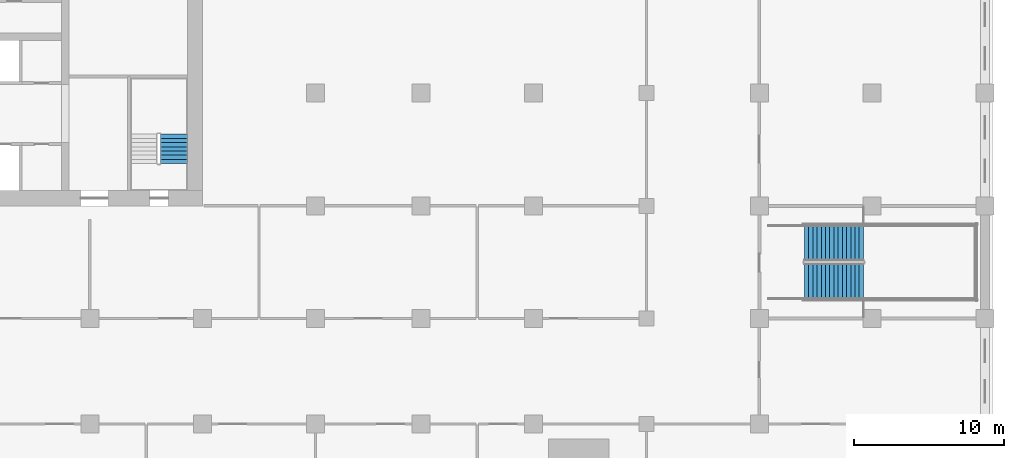
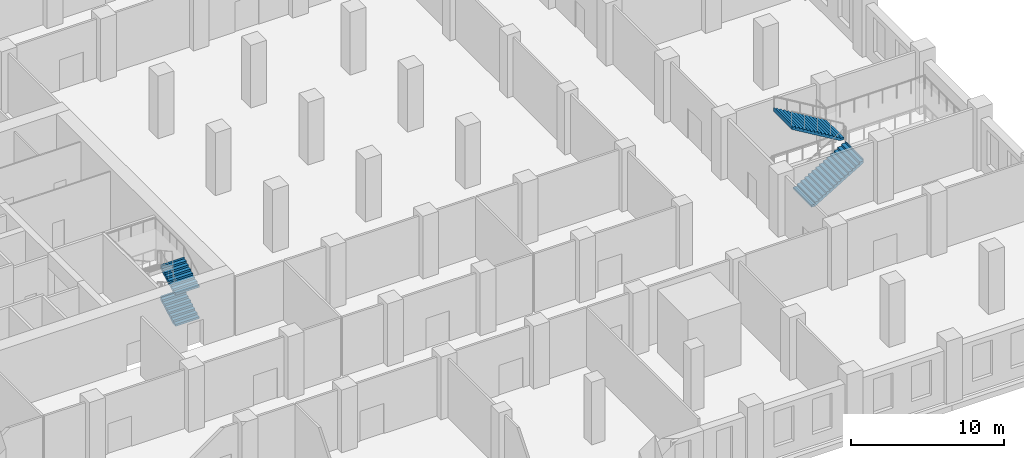
# One storey, part 16 of 32: 4 stair flights, 2 elements without a shape of their own.
"""IFC4 building model written with IfcOpenShell, lengths in metres."""

from ifc_helpers import new_model, si_unit, direction, frame, origin, place, context, subcontext, project, spatial, polyline, outline, extrude, material, type_object, element, aggregate, save


model = new_model("IFC4")

# Units and contexts
model_context = context("Model", 3, precision=1e-05, world=origin(), true_north=direction((0.0, 1.0)))
body_context = subcontext(model_context, "Body", "Model", "MODEL_VIEW")
ifc_project = project(units=[si_unit("LENGTHUNIT", "METRE"), si_unit("AREAUNIT", "SQUARE_METRE"), si_unit("VOLUMEUNIT", "CUBIC_METRE"), si_unit("PLANEANGLEUNIT", "RADIAN"), si_unit("MASSUNIT", "GRAM", prefix="KILO")], contexts=[model_context])

# Site, building, storey
site_placement = place(None, origin())
site = spatial("IfcSite", under=ifc_project, at=site_placement, CompositionType="ELEMENT")
building_placement = place(site_placement, origin())
building = spatial("IfcBuilding", under=site, at=building_placement, Name="Tamorin Gate", CompositionType="ELEMENT")
storey_placement = place(building_placement, frame((0.0, 0.0, 18.5)))
storey = spatial("IfcBuildingStorey", under=building, at=storey_placement, Name="L03", CompositionType="ELEMENT", Elevation=18.5)

# Stair, stair flights
ifc_material_1 = material(Name="Concrete C40/50", Category="concrete")
stair_type_1 = type_object("IfcStairType", Name="Exit stair", PredefinedType="HALF_TURN_STAIR", material=ifc_material_1)
stair_1_placement = place(storey_placement, origin())
stair_1 = element("IfcStair", 1, at=stair_1_placement, inside=storey, type_object=stair_type_1, Name="L03 stair ST3", PredefinedType="HALF_TURN_STAIR")
stair_flight_type_1 = type_object("IfcStairFlightType", Name="Exit stair flight", PredefinedType="STRAIGHT", material=ifc_material_1)
stair_flight_1_placement = place(storey_placement, frame((58.10009765625, 62.800048828125, 0.0), z_axis=(0.0, 0.0, 1.0), x_axis=(0.0, 1.0, 0.0)))
stair_flight_1 = element("IfcStairFlight", 2, at=stair_flight_1_placement, type_object=stair_flight_type_1, Name="ST3 flight 1", NumberOfRisers=8, NumberOfTreads=7, PredefinedType="STRAIGHT", RiserHeight=0.15625, TreadLength=0.28, context=body_context, shape_type="SweptSolid", body=[
    extrude(outline(polyline([(-0.00048828125, 0.0), (-0.00048828125, 0.00146484375), (-0.00048828125, 0.003173828125), (-0.00048828125, 0.004638671875), (-0.00048828125, 0.006103515625), (-0.00048828125, 0.0078125), (-0.00048828125, 0.00927734375), (-0.00048828125, 0.0107421875), (-0.00048828125, 0.012451171875), (-0.00048828125, 0.013916015625), (-0.00048828125, 0.015380859375), (-0.00048828125, 0.01708984375), (-0.00048828125, 0.0185546875), (-0.00048828125, 0.02001953125), (-0.00048828125, 0.021728515625), (-0.00048828125, 0.023193359375), (-0.00048828125, 0.024658203125), (-0.00048828125, 0.0263671875), (-0.00048828125, 0.02783203125), (-0.00048828125, 0.029296875), (-0.00048828125, 0.031005859375), (-0.00048828125, 0.032470703125), (-0.00048828125, 0.033935546875), (-0.00048828125, 0.03564453125), (-0.00048828125, 0.037109375), (-0.00048828125, 0.03857421875), (-0.00048828125, 0.040283203125), (-0.00048828125, 0.041748046875), (-0.00048828125, 0.043212890625), (-0.00048828125, 0.044921875), (-0.00048828125, 0.04638671875), (-0.00048828125, 0.0478515625), (-0.00048828125, 0.049560546875), (-0.00048828125, 0.051025390625), (-0.00048828125, 0.052490234375), (-0.00048828125, 0.05419921875), (-0.00048828125, 0.0556640625), (-0.00048828125, 0.05712890625), (-0.00048828125, 0.058837890625), (-0.00048828125, 0.060302734375), (-0.00048828125, 0.061767578125), (-0.00048828125, 0.0634765625), (-0.00048828125, 0.06494140625), (-0.00048828125, 0.06640625), (-0.00048828125, 0.068115234375), (-0.00048828125, 0.069580078125), (-0.00048828125, 0.071044921875), (-0.00048828125, 0.07275390625), (-0.00048828125, 0.07421875), (-0.00048828125, 0.07568359375), (-0.00048828125, 0.077392578125), (-0.00048828125, 0.078857421875), (-0.00048828125, 0.08056640625), (-0.00048828125, 0.08203125), (-0.00048828125, 0.08349609375), (-0.00048828125, 0.085205078125), (-0.00048828125, 0.086669921875), (-0.00048828125, 0.088134765625), (-0.00048828125, 0.08984375), (-0.00048828125, 0.09130859375), (-0.00048828125, 0.0927734375), (-0.00048828125, 0.094482421875), (-0.00048828125, 0.095947265625), (-0.00048828125, 0.097412109375), (-0.00048828125, 0.09912109375), (-0.00048828125, 0.1005859375), (-0.00048828125, 0.10205078125), (-0.00048828125, 0.103759765625), (-0.00048828125, 0.105224609375), (-0.00048828125, 0.106689453125), (-0.00048828125, 0.1083984375), (-0.00048828125, 0.10986328125), (-0.00048828125, 0.111328125), (-0.00048828125, 0.113037109375), (-0.00048828125, 0.114501953125), (-0.00048828125, 0.115966796875), (-0.00048828125, 0.11767578125), (-0.00048828125, 0.119140625), (-0.00048828125, 0.12060546875), (-0.00048828125, 0.122314453125), (-0.00048828125, 0.123779296875), (-0.00048828125, 0.125244140625), (-0.00048828125, 0.126953125), (-0.00048828125, 0.12841796875), (-0.00048828125, 0.1298828125), (-0.00048828125, 0.131591796875), (-0.00048828125, 0.133056640625), (-0.00048828125, 0.134521484375), (-0.00048828125, 0.13623046875), (-0.00048828125, 0.1376953125), (-0.00048828125, 0.13916015625), (-0.00048828125, 0.140869140625), (-0.00048828125, 0.142333984375), (-0.00048828125, 0.143798828125), (-0.00048828125, 0.1455078125), (-0.00048828125, 0.14697265625), (-0.00048828125, 0.1484375), (-0.00048828125, 0.150146484375), (-0.00048828125, 0.151611328125), (-0.00048828125, 0.153076171875), (-0.00048828125, 0.15478515625), (-0.00048828125, 0.15625), (0.280029296875, 0.15625), (0.280029296875, 0.3125), (0.56005859375, 0.3125), (0.56005859375, 0.46875), (0.840087890625, 0.46875), (0.840087890625, 0.625), (1.1201171875, 0.625), (1.1201171875, 0.78125), (1.39990234375, 0.78125), (1.39990234375, 0.9375), (1.679931640625, 0.9375), (1.679931640625, 1.09375), (1.9599609375, 1.09375), (1.9599609375, 1.25), (1.96044921875, 1.25), (1.96044921875, 1.246826171875), (1.96044921875, 1.243408203125), (1.96044921875, 1.240234375), (1.96044921875, 1.237060546875), (1.96044921875, 1.23388671875), (1.96044921875, 1.23046875), (1.96044921875, 1.227294921875), (1.96044921875, 1.22412109375), (1.96044921875, 1.220703125), (1.96044921875, 1.217529296875), (1.96044921875, 1.21435546875), (1.96044921875, 1.2109375), (1.96044921875, 1.207763671875), (1.96044921875, 1.20458984375), (1.96044921875, 1.201416015625), (1.96044921875, 1.197998046875), (1.96044921875, 1.19482421875), (1.96044921875, 1.191650390625), (1.96044921875, 1.188232421875), (1.96044921875, 1.18505859375), (1.96044921875, 1.181884765625), (1.96044921875, 1.178466796875), (1.96044921875, 1.17529296875), (1.96044921875, 1.172119140625), (1.96044921875, 1.1689453125), (1.96044921875, 1.16552734375), (1.96044921875, 1.162353515625), (1.96044921875, 1.1591796875), (1.96044921875, 1.15576171875), (1.96044921875, 1.152587890625), (1.96044921875, 1.1494140625), (1.96044921875, 1.14599609375), (1.96044921875, 1.142822265625), (1.96044921875, 1.1396484375), (1.96044921875, 1.136474609375), (1.96044921875, 1.133056640625), (1.96044921875, 1.1298828125), (1.96044921875, 1.126708984375), (1.96044921875, 1.123291015625), (1.96044921875, 1.1201171875), (1.96044921875, 1.116943359375), (1.96044921875, 1.113525390625), (1.96044921875, 1.1103515625), (1.96044921875, 1.107177734375), (1.96044921875, 1.10400390625), (1.96044921875, 1.1005859375), (1.96044921875, 1.097412109375), (1.96044921875, 1.09423828125), (1.96044921875, 1.0908203125), (1.96044921875, 1.087646484375), (1.96044921875, 1.08447265625), (1.96044921875, 1.0810546875), (1.96044921875, 1.077880859375), (1.96044921875, 1.07470703125), (1.96044921875, 1.071533203125), (1.96044921875, 1.068115234375), (1.96044921875, 1.06494140625), (1.96044921875, 1.061767578125), (1.96044921875, 1.058349609375), (1.96044921875, 1.05517578125), (1.96044921875, 1.052001953125), (1.96044921875, 1.048828125), (1.96044921875, 1.04541015625), (1.96044921875, 1.042236328125), (1.96044921875, 1.0390625), (1.96044921875, 1.03564453125), (1.96044921875, 1.032470703125), (1.96044921875, 1.029296875), (1.96044921875, 1.02587890625), (1.96044921875, 1.022705078125), (1.96044921875, 1.01953125), (1.96044921875, 1.016357421875), (1.96044921875, 1.012939453125), (1.96044921875, 1.009765625), (1.96044921875, 1.006591796875), (1.96044921875, 1.003173828125), (1.96044921875, 1.0), (1.96044921875, 0.996826171875), (1.96044921875, 0.993408203125), (1.96044921875, 0.990234375), (1.96044921875, 0.987060546875), (1.96044921875, 0.98388671875), (1.96044921875, 0.98046875), (1.96044921875, 0.977294921875), (1.96044921875, 0.97412109375), (1.96044921875, 0.970703125), (1.96044921875, 0.967529296875), (1.96044921875, 0.96435546875), (1.96044921875, 0.9609375), (1.96044921875, 0.957763671875), (1.96044921875, 0.95458984375), (1.96044921875, 0.951416015625), (1.96044921875, 0.947998046875), (1.96044921875, 0.94482421875), (1.96044921875, 0.941650390625), (1.96044921875, 0.938232421875), (1.96044921875, 0.93505859375), (1.96044921875, 0.931884765625), (1.96044921875, 0.928466796875), (1.96044921875, 0.92529296875), (1.96044921875, 0.922119140625), (1.9599609375, 0.922119140625), (0.3076171875, 0.0), (-0.00048828125, 0.0)])), frame((0.0, 0.89990234375, 0.0), z_axis=(0.0, -1.0, 0.0), x_axis=(1.0, 0.0, 0.0)), (0.0, 0.0, 1.0), 1.800048828125),
])
stair_flight_2_placement = place(storey_placement, frame((58.10009765625, 62.800048828125, 2.5), z_axis=(0.0, 0.0, 1.0), x_axis=(0.0, 1.0, 0.0)))
stair_flight_2 = element("IfcStairFlight", 3, at=stair_flight_2_placement, type_object=stair_flight_type_1, Name="ST3 flight 3", NumberOfRisers=8, NumberOfTreads=7, PredefinedType="STRAIGHT", RiserHeight=0.15625, TreadLength=0.28, context=body_context, shape_type="SweptSolid", body=[
    extrude(outline(polyline([(-0.00048828125, 0.0), (-0.00048828125, 0.00146484375), (-0.00048828125, 0.003173828125), (-0.00048828125, 0.004638671875), (-0.00048828125, 0.006103515625), (-0.00048828125, 0.0078125), (-0.00048828125, 0.00927734375), (-0.00048828125, 0.0107421875), (-0.00048828125, 0.012451171875), (-0.00048828125, 0.013916015625), (-0.00048828125, 0.015380859375), (-0.00048828125, 0.01708984375), (-0.00048828125, 0.0185546875), (-0.00048828125, 0.02001953125), (-0.00048828125, 0.021728515625), (-0.00048828125, 0.023193359375), (-0.00048828125, 0.024658203125), (-0.00048828125, 0.0263671875), (-0.00048828125, 0.02783203125), (-0.00048828125, 0.029296875), (-0.00048828125, 0.031005859375), (-0.00048828125, 0.032470703125), (-0.00048828125, 0.033935546875), (-0.00048828125, 0.03564453125), (-0.00048828125, 0.037109375), (-0.00048828125, 0.03857421875), (-0.00048828125, 0.040283203125), (-0.00048828125, 0.041748046875), (-0.00048828125, 0.043212890625), (-0.00048828125, 0.044921875), (-0.00048828125, 0.04638671875), (-0.00048828125, 0.0478515625), (-0.00048828125, 0.049560546875), (-0.00048828125, 0.051025390625), (-0.00048828125, 0.052490234375), (-0.00048828125, 0.05419921875), (-0.00048828125, 0.0556640625), (-0.00048828125, 0.05712890625), (-0.00048828125, 0.058837890625), (-0.00048828125, 0.060302734375), (-0.00048828125, 0.061767578125), (-0.00048828125, 0.0634765625), (-0.00048828125, 0.06494140625), (-0.00048828125, 0.06640625), (-0.00048828125, 0.068115234375), (-0.00048828125, 0.069580078125), (-0.00048828125, 0.071044921875), (-0.00048828125, 0.07275390625), (-0.00048828125, 0.07421875), (-0.00048828125, 0.07568359375), (-0.00048828125, 0.077392578125), (-0.00048828125, 0.078857421875), (-0.00048828125, 0.08056640625), (-0.00048828125, 0.08203125), (-0.00048828125, 0.08349609375), (-0.00048828125, 0.085205078125), (-0.00048828125, 0.086669921875), (-0.00048828125, 0.088134765625), (-0.00048828125, 0.08984375), (-0.00048828125, 0.09130859375), (-0.00048828125, 0.0927734375), (-0.00048828125, 0.094482421875), (-0.00048828125, 0.095947265625), (-0.00048828125, 0.097412109375), (-0.00048828125, 0.09912109375), (-0.00048828125, 0.1005859375), (-0.00048828125, 0.10205078125), (-0.00048828125, 0.103759765625), (-0.00048828125, 0.105224609375), (-0.00048828125, 0.106689453125), (-0.00048828125, 0.1083984375), (-0.00048828125, 0.10986328125), (-0.00048828125, 0.111328125), (-0.00048828125, 0.113037109375), (-0.00048828125, 0.114501953125), (-0.00048828125, 0.115966796875), (-0.00048828125, 0.11767578125), (-0.00048828125, 0.119140625), (-0.00048828125, 0.12060546875), (-0.00048828125, 0.122314453125), (-0.00048828125, 0.123779296875), (-0.00048828125, 0.125244140625), (-0.00048828125, 0.126953125), (-0.00048828125, 0.12841796875), (-0.00048828125, 0.1298828125), (-0.00048828125, 0.131591796875), (-0.00048828125, 0.133056640625), (-0.00048828125, 0.134521484375), (-0.00048828125, 0.13623046875), (-0.00048828125, 0.1376953125), (-0.00048828125, 0.13916015625), (-0.00048828125, 0.140869140625), (-0.00048828125, 0.142333984375), (-0.00048828125, 0.143798828125), (-0.00048828125, 0.1455078125), (-0.00048828125, 0.14697265625), (-0.00048828125, 0.1484375), (-0.00048828125, 0.150146484375), (-0.00048828125, 0.151611328125), (-0.00048828125, 0.153076171875), (-0.00048828125, 0.15478515625), (-0.00048828125, 0.15625), (0.280029296875, 0.15625), (0.280029296875, 0.3125), (0.56005859375, 0.3125), (0.56005859375, 0.46875), (0.840087890625, 0.46875), (0.840087890625, 0.625), (1.1201171875, 0.625), (1.1201171875, 0.78125), (1.39990234375, 0.78125), (1.39990234375, 0.9375), (1.679931640625, 0.9375), (1.679931640625, 1.09375), (1.9599609375, 1.09375), (1.9599609375, 1.25), (1.96044921875, 1.25), (1.96044921875, 1.246826171875), (1.96044921875, 1.243408203125), (1.96044921875, 1.240234375), (1.96044921875, 1.237060546875), (1.96044921875, 1.23388671875), (1.96044921875, 1.23046875), (1.96044921875, 1.227294921875), (1.96044921875, 1.22412109375), (1.96044921875, 1.220703125), (1.96044921875, 1.217529296875), (1.96044921875, 1.21435546875), (1.96044921875, 1.2109375), (1.96044921875, 1.207763671875), (1.96044921875, 1.20458984375), (1.96044921875, 1.201416015625), (1.96044921875, 1.197998046875), (1.96044921875, 1.19482421875), (1.96044921875, 1.191650390625), (1.96044921875, 1.188232421875), (1.96044921875, 1.18505859375), (1.96044921875, 1.181884765625), (1.96044921875, 1.178466796875), (1.96044921875, 1.17529296875), (1.96044921875, 1.172119140625), (1.96044921875, 1.1689453125), (1.96044921875, 1.16552734375), (1.96044921875, 1.162353515625), (1.96044921875, 1.1591796875), (1.96044921875, 1.15576171875), (1.96044921875, 1.152587890625), (1.96044921875, 1.1494140625), (1.96044921875, 1.14599609375), (1.96044921875, 1.142822265625), (1.96044921875, 1.1396484375), (1.96044921875, 1.136474609375), (1.96044921875, 1.133056640625), (1.96044921875, 1.1298828125), (1.96044921875, 1.126708984375), (1.96044921875, 1.123291015625), (1.96044921875, 1.1201171875), (1.96044921875, 1.116943359375), (1.96044921875, 1.113525390625), (1.96044921875, 1.1103515625), (1.96044921875, 1.107177734375), (1.96044921875, 1.10400390625), (1.96044921875, 1.1005859375), (1.96044921875, 1.097412109375), (1.96044921875, 1.09423828125), (1.96044921875, 1.0908203125), (1.96044921875, 1.087646484375), (1.96044921875, 1.08447265625), (1.96044921875, 1.0810546875), (1.96044921875, 1.077880859375), (1.96044921875, 1.07470703125), (1.96044921875, 1.071533203125), (1.96044921875, 1.068115234375), (1.96044921875, 1.06494140625), (1.96044921875, 1.061767578125), (1.96044921875, 1.058349609375), (1.96044921875, 1.05517578125), (1.96044921875, 1.052001953125), (1.96044921875, 1.048828125), (1.96044921875, 1.04541015625), (1.96044921875, 1.042236328125), (1.96044921875, 1.0390625), (1.96044921875, 1.03564453125), (1.96044921875, 1.032470703125), (1.96044921875, 1.029296875), (1.96044921875, 1.02587890625), (1.96044921875, 1.022705078125), (1.96044921875, 1.01953125), (1.96044921875, 1.016357421875), (1.96044921875, 1.012939453125), (1.96044921875, 1.009765625), (1.96044921875, 1.006591796875), (1.96044921875, 1.003173828125), (1.96044921875, 1.0), (1.96044921875, 0.996826171875), (1.96044921875, 0.993408203125), (1.96044921875, 0.990234375), (1.96044921875, 0.987060546875), (1.96044921875, 0.98388671875), (1.96044921875, 0.98046875), (1.96044921875, 0.977294921875), (1.96044921875, 0.97412109375), (1.96044921875, 0.970703125), (1.96044921875, 0.967529296875), (1.96044921875, 0.96435546875), (1.96044921875, 0.9609375), (1.96044921875, 0.957763671875), (1.96044921875, 0.95458984375), (1.96044921875, 0.951416015625), (1.96044921875, 0.947998046875), (1.96044921875, 0.94482421875), (1.96044921875, 0.941650390625), (1.96044921875, 0.938232421875), (1.96044921875, 0.93505859375), (1.96044921875, 0.931884765625), (1.96044921875, 0.928466796875), (1.96044921875, 0.92529296875), (1.96044921875, 0.922119140625), (1.9599609375, 0.922119140625), (0.3076171875, 0.0), (-0.00048828125, 0.0)])), frame((0.0, 0.89990234375, 0.0), z_axis=(0.0, -1.0, 0.0), x_axis=(1.0, 0.0, 0.0)), (0.0, 0.0, 1.0), 1.800048828125),
])
aggregate(stair_1, [stair_flight_1, stair_flight_2])

ifc_material_2 = material(Name="Reinforced concrete C32/40", Category="concrete")
stair_type_2 = type_object("IfcStairType", Name="Podium stair PS", PredefinedType="HALF_TURN_STAIR", material=ifc_material_2)
stair_2_placement = place(storey_placement, origin())
stair_2 = element("IfcStair", 4, at=stair_2_placement, inside=storey, type_object=stair_type_2, Name="L03 Podium stair PS3", PredefinedType="HALF_TURN_STAIR")
stair_flight_type_2 = type_object("IfcStairFlightType", Name="Stair flight 2400", PredefinedType="STRAIGHT", material=ifc_material_2)
stair_flight_3_placement = place(storey_placement, frame((100.0, 54.97509765625, 0.0), z_axis=(0.0, 0.0, 1.0), x_axis=(1.0, 0.0, 0.0)))
stair_flight_3 = element("IfcStairFlight", 5, at=stair_flight_3_placement, type_object=stair_flight_type_2, Name="PS3 flight 1", NumberOfRisers=15, NumberOfTreads=14, PredefinedType="STRAIGHT", RiserHeight=0.166666667, TreadLength=0.28, context=body_context, shape_type="SweptSolid", body=[
    extrude(outline(polyline([(-0.00048828125, 0.0), (-0.00048828125, 0.001708984375), (-0.00048828125, 0.00341796875), (-0.00048828125, 0.0048828125), (-0.00048828125, 0.006591796875), (-0.00048828125, 0.00830078125), (-0.00048828125, 0.010009765625), (-0.00048828125, 0.011474609375), (-0.00048828125, 0.01318359375), (-0.00048828125, 0.014892578125), (-0.00048828125, 0.0166015625), (-0.00048828125, 0.01806640625), (-0.00048828125, 0.019775390625), (-0.00048828125, 0.021484375), (-0.00048828125, 0.023193359375), (-0.00048828125, 0.024658203125), (-0.00048828125, 0.0263671875), (-0.00048828125, 0.028076171875), (-0.00048828125, 0.02978515625), (-0.00048828125, 0.03125), (-0.00048828125, 0.032958984375), (-0.00048828125, 0.03466796875), (-0.00048828125, 0.036376953125), (-0.00048828125, 0.037841796875), (-0.00048828125, 0.03955078125), (-0.00048828125, 0.041259765625), (-0.00048828125, 0.04296875), (-0.00048828125, 0.04443359375), (-0.00048828125, 0.046142578125), (-0.00048828125, 0.0478515625), (-0.00048828125, 0.049560546875), (-0.00048828125, 0.05126953125), (-0.00048828125, 0.052734375), (-0.00048828125, 0.054443359375), (-0.00048828125, 0.05615234375), (-0.00048828125, 0.057861328125), (-0.00048828125, 0.059326171875), (-0.00048828125, 0.06103515625), (-0.00048828125, 0.062744140625), (-0.00048828125, 0.064453125), (-0.00048828125, 0.06591796875), (-0.00048828125, 0.067626953125), (-0.00048828125, 0.0693359375), (-0.00048828125, 0.071044921875), (-0.00048828125, 0.072509765625), (-0.00048828125, 0.07421875), (-0.00048828125, 0.075927734375), (-0.00048828125, 0.07763671875), (-0.00048828125, 0.0791015625), (-0.00048828125, 0.080810546875), (-0.00048828125, 0.08251953125), (-0.00048828125, 0.084228515625), (-0.00048828125, 0.085693359375), (-0.00048828125, 0.08740234375), (-0.00048828125, 0.089111328125), (-0.00048828125, 0.0908203125), (-0.00048828125, 0.092529296875), (-0.00048828125, 0.093994140625), (-0.00048828125, 0.095703125), (-0.00048828125, 0.097412109375), (-0.00048828125, 0.09912109375), (-0.00048828125, 0.1005859375), (-0.00048828125, 0.102294921875), (-0.00048828125, 0.10400390625), (-0.00048828125, 0.105712890625), (-0.00048828125, 0.107177734375), (-0.00048828125, 0.10888671875), (-0.00048828125, 0.110595703125), (-0.00048828125, 0.1123046875), (-0.00048828125, 0.11376953125), (-0.00048828125, 0.115478515625), (-0.00048828125, 0.1171875), (-0.00048828125, 0.118896484375), (-0.00048828125, 0.120361328125), (-0.00048828125, 0.1220703125), (-0.00048828125, 0.123779296875), (-0.00048828125, 0.12548828125), (-0.00048828125, 0.126953125), (-0.00048828125, 0.128662109375), (-0.00048828125, 0.13037109375), (-0.00048828125, 0.132080078125), (-0.00048828125, 0.133544921875), (-0.00048828125, 0.13525390625), (-0.00048828125, 0.136962890625), (-0.00048828125, 0.138671875), (-0.00048828125, 0.140380859375), (-0.00048828125, 0.141845703125), (-0.00048828125, 0.1435546875), (-0.00048828125, 0.145263671875), (-0.00048828125, 0.14697265625), (-0.00048828125, 0.1484375), (-0.00048828125, 0.150146484375), (-0.00048828125, 0.15185546875), (-0.00048828125, 0.153564453125), (-0.00048828125, 0.155029296875), (-0.00048828125, 0.15673828125), (-0.00048828125, 0.158447265625), (-0.00048828125, 0.16015625), (-0.00048828125, 0.16162109375), (-0.00048828125, 0.163330078125), (-0.00048828125, 0.1650390625), (-0.00048828125, 0.166748046875), (0.280029296875, 0.166748046875), (0.280029296875, 0.333251953125), (0.56005859375, 0.333251953125), (0.56005859375, 0.5), (0.840087890625, 0.5), (0.840087890625, 0.666748046875), (1.1201171875, 0.666748046875), (1.1201171875, 0.833251953125), (1.39990234375, 0.833251953125), (1.39990234375, 1.0), (1.679931640625, 1.0), (1.679931640625, 1.166748046875), (1.9599609375, 1.166748046875), (1.9599609375, 1.333251953125), (2.239990234375, 1.333251953125), (2.239990234375, 1.5), (2.52001953125, 1.5), (2.52001953125, 1.666748046875), (2.800048828125, 1.666748046875), (2.800048828125, 1.833251953125), (3.080078125, 1.833251953125), (3.080078125, 2.0), (3.360107421875, 2.0), (3.360107421875, 2.166748046875), (3.639892578125, 2.166748046875), (3.639892578125, 2.333251953125), (3.919921875, 2.333251953125), (3.919921875, 2.5), (3.92041015625, 2.5), (3.92041015625, 2.49658203125), (3.92041015625, 2.4931640625), (3.92041015625, 2.48974609375), (3.92041015625, 2.486572265625), (3.92041015625, 2.483154296875), (3.92041015625, 2.479736328125), (3.92041015625, 2.476318359375), (3.92041015625, 2.472900390625), (3.92041015625, 2.469482421875), (3.92041015625, 2.46630859375), (3.92041015625, 2.462890625), (3.92041015625, 2.45947265625), (3.92041015625, 2.4560546875), (3.92041015625, 2.45263671875), (3.92041015625, 2.44921875), (3.92041015625, 2.446044921875), (3.92041015625, 2.442626953125), (3.92041015625, 2.439208984375), (3.92041015625, 2.435791015625), (3.92041015625, 2.432373046875), (3.92041015625, 2.428955078125), (3.92041015625, 2.42578125), (3.92041015625, 2.42236328125), (3.92041015625, 2.4189453125), (3.92041015625, 2.41552734375), (3.92041015625, 2.412109375), (3.92041015625, 2.40869140625), (3.92041015625, 2.405517578125), (3.92041015625, 2.402099609375), (3.92041015625, 2.398681640625), (3.92041015625, 2.395263671875), (3.92041015625, 2.391845703125), (3.92041015625, 2.388427734375), (3.92041015625, 2.38525390625), (3.92041015625, 2.3818359375), (3.92041015625, 2.37841796875), (3.92041015625, 2.375), (3.92041015625, 2.37158203125), (3.92041015625, 2.3681640625), (3.92041015625, 2.364990234375), (3.92041015625, 2.361572265625), (3.92041015625, 2.358154296875), (3.92041015625, 2.354736328125), (3.92041015625, 2.351318359375), (3.92041015625, 2.347900390625), (3.92041015625, 2.3447265625), (3.92041015625, 2.34130859375), (3.92041015625, 2.337890625), (3.92041015625, 2.33447265625), (3.92041015625, 2.3310546875), (3.92041015625, 2.32763671875), (3.92041015625, 2.324462890625), (3.92041015625, 2.321044921875), (3.92041015625, 2.317626953125), (3.92041015625, 2.314208984375), (3.92041015625, 2.310791015625), (3.92041015625, 2.307373046875), (3.92041015625, 2.30419921875), (3.92041015625, 2.30078125), (3.92041015625, 2.29736328125), (3.92041015625, 2.2939453125), (3.92041015625, 2.29052734375), (3.92041015625, 2.287109375), (3.92041015625, 2.283935546875), (3.92041015625, 2.280517578125), (3.92041015625, 2.277099609375), (3.92041015625, 2.273681640625), (3.92041015625, 2.270263671875), (3.92041015625, 2.266845703125), (3.92041015625, 2.263671875), (3.92041015625, 2.26025390625), (3.92041015625, 2.2568359375), (3.92041015625, 2.25341796875), (3.92041015625, 2.25), (3.92041015625, 2.24658203125), (3.92041015625, 2.243408203125), (3.92041015625, 2.239990234375), (3.92041015625, 2.236572265625), (3.92041015625, 2.233154296875), (3.92041015625, 2.229736328125), (3.92041015625, 2.226318359375), (3.92041015625, 2.22314453125), (3.92041015625, 2.2197265625), (3.92041015625, 2.21630859375), (3.92041015625, 2.212890625), (3.92041015625, 2.20947265625), (3.92041015625, 2.2060546875), (3.92041015625, 2.202880859375), (3.92041015625, 2.199462890625), (3.92041015625, 2.196044921875), (3.92041015625, 2.192626953125), (3.92041015625, 2.189208984375), (3.92041015625, 2.185791015625), (3.92041015625, 2.1826171875), (3.92041015625, 2.17919921875), (3.92041015625, 2.17578125), (3.92041015625, 2.17236328125), (3.92041015625, 2.1689453125), (3.92041015625, 2.16552734375), (3.92041015625, 2.162353515625), (3.92041015625, 2.158935546875), (3.919921875, 2.158935546875), (0.29296875, 0.0), (-0.00048828125, 0.0)])), frame((0.0, 1.199951171875, 0.0), z_axis=(0.0, -1.0, 0.0), x_axis=(1.0, 0.0, 0.0)), (0.0, 0.0, 1.0), 2.39990234375),
])
stair_flight_4_placement = place(storey_placement, frame((103.919921875, 57.52490234375, 2.5), z_axis=(0.0, 0.0, 1.0), x_axis=(-1.0, 0.0, 0.0)))
stair_flight_4 = element("IfcStairFlight", 6, at=stair_flight_4_placement, type_object=stair_flight_type_2, Name="PS3 flight 2", NumberOfRisers=15, NumberOfTreads=14, PredefinedType="STRAIGHT", RiserHeight=0.166666667, TreadLength=0.28, context=body_context, shape_type="SweptSolid", body=[
    extrude(outline(polyline([(-0.00048828125, 0.0), (-0.00048828125, 0.001708984375), (-0.00048828125, 0.00341796875), (-0.00048828125, 0.0048828125), (-0.00048828125, 0.006591796875), (-0.00048828125, 0.00830078125), (-0.00048828125, 0.010009765625), (-0.00048828125, 0.011474609375), (-0.00048828125, 0.01318359375), (-0.00048828125, 0.014892578125), (-0.00048828125, 0.0166015625), (-0.00048828125, 0.01806640625), (-0.00048828125, 0.019775390625), (-0.00048828125, 0.021484375), (-0.00048828125, 0.023193359375), (-0.00048828125, 0.024658203125), (-0.00048828125, 0.0263671875), (-0.00048828125, 0.028076171875), (-0.00048828125, 0.02978515625), (-0.00048828125, 0.03125), (-0.00048828125, 0.032958984375), (-0.00048828125, 0.03466796875), (-0.00048828125, 0.036376953125), (-0.00048828125, 0.037841796875), (-0.00048828125, 0.03955078125), (-0.00048828125, 0.041259765625), (-0.00048828125, 0.04296875), (-0.00048828125, 0.04443359375), (-0.00048828125, 0.046142578125), (-0.00048828125, 0.0478515625), (-0.00048828125, 0.049560546875), (-0.00048828125, 0.05126953125), (-0.00048828125, 0.052734375), (-0.00048828125, 0.054443359375), (-0.00048828125, 0.05615234375), (-0.00048828125, 0.057861328125), (-0.00048828125, 0.059326171875), (-0.00048828125, 0.06103515625), (-0.00048828125, 0.062744140625), (-0.00048828125, 0.064453125), (-0.00048828125, 0.06591796875), (-0.00048828125, 0.067626953125), (-0.00048828125, 0.0693359375), (-0.00048828125, 0.071044921875), (-0.00048828125, 0.072509765625), (-0.00048828125, 0.07421875), (-0.00048828125, 0.075927734375), (-0.00048828125, 0.07763671875), (-0.00048828125, 0.0791015625), (-0.00048828125, 0.080810546875), (-0.00048828125, 0.08251953125), (-0.00048828125, 0.084228515625), (-0.00048828125, 0.085693359375), (-0.00048828125, 0.08740234375), (-0.00048828125, 0.089111328125), (-0.00048828125, 0.0908203125), (-0.00048828125, 0.092529296875), (-0.00048828125, 0.093994140625), (-0.00048828125, 0.095703125), (-0.00048828125, 0.097412109375), (-0.00048828125, 0.09912109375), (-0.00048828125, 0.1005859375), (-0.00048828125, 0.102294921875), (-0.00048828125, 0.10400390625), (-0.00048828125, 0.105712890625), (-0.00048828125, 0.107177734375), (-0.00048828125, 0.10888671875), (-0.00048828125, 0.110595703125), (-0.00048828125, 0.1123046875), (-0.00048828125, 0.11376953125), (-0.00048828125, 0.115478515625), (-0.00048828125, 0.1171875), (-0.00048828125, 0.118896484375), (-0.00048828125, 0.120361328125), (-0.00048828125, 0.1220703125), (-0.00048828125, 0.123779296875), (-0.00048828125, 0.12548828125), (-0.00048828125, 0.126953125), (-0.00048828125, 0.128662109375), (-0.00048828125, 0.13037109375), (-0.00048828125, 0.132080078125), (-0.00048828125, 0.133544921875), (-0.00048828125, 0.13525390625), (-0.00048828125, 0.136962890625), (-0.00048828125, 0.138671875), (-0.00048828125, 0.140380859375), (-0.00048828125, 0.141845703125), (-0.00048828125, 0.1435546875), (-0.00048828125, 0.145263671875), (-0.00048828125, 0.14697265625), (-0.00048828125, 0.1484375), (-0.00048828125, 0.150146484375), (-0.00048828125, 0.15185546875), (-0.00048828125, 0.153564453125), (-0.00048828125, 0.155029296875), (-0.00048828125, 0.15673828125), (-0.00048828125, 0.158447265625), (-0.00048828125, 0.16015625), (-0.00048828125, 0.16162109375), (-0.00048828125, 0.163330078125), (-0.00048828125, 0.1650390625), (-0.00048828125, 0.166748046875), (0.280029296875, 0.166748046875), (0.280029296875, 0.333251953125), (0.56005859375, 0.333251953125), (0.56005859375, 0.5), (0.840087890625, 0.5), (0.840087890625, 0.666748046875), (1.1201171875, 0.666748046875), (1.1201171875, 0.833251953125), (1.39990234375, 0.833251953125), (1.39990234375, 1.0), (1.679931640625, 1.0), (1.679931640625, 1.166748046875), (1.9599609375, 1.166748046875), (1.9599609375, 1.333251953125), (2.239990234375, 1.333251953125), (2.239990234375, 1.5), (2.52001953125, 1.5), (2.52001953125, 1.666748046875), (2.800048828125, 1.666748046875), (2.800048828125, 1.833251953125), (3.080078125, 1.833251953125), (3.080078125, 2.0), (3.360107421875, 2.0), (3.360107421875, 2.166748046875), (3.639892578125, 2.166748046875), (3.639892578125, 2.333251953125), (3.919921875, 2.333251953125), (3.919921875, 2.5), (3.92041015625, 2.5), (3.92041015625, 2.49658203125), (3.92041015625, 2.4931640625), (3.92041015625, 2.48974609375), (3.92041015625, 2.486572265625), (3.92041015625, 2.483154296875), (3.92041015625, 2.479736328125), (3.92041015625, 2.476318359375), (3.92041015625, 2.472900390625), (3.92041015625, 2.469482421875), (3.92041015625, 2.46630859375), (3.92041015625, 2.462890625), (3.92041015625, 2.45947265625), (3.92041015625, 2.4560546875), (3.92041015625, 2.45263671875), (3.92041015625, 2.44921875), (3.92041015625, 2.446044921875), (3.92041015625, 2.442626953125), (3.92041015625, 2.439208984375), (3.92041015625, 2.435791015625), (3.92041015625, 2.432373046875), (3.92041015625, 2.428955078125), (3.92041015625, 2.42578125), (3.92041015625, 2.42236328125), (3.92041015625, 2.4189453125), (3.92041015625, 2.41552734375), (3.92041015625, 2.412109375), (3.92041015625, 2.40869140625), (3.92041015625, 2.405517578125), (3.92041015625, 2.402099609375), (3.92041015625, 2.398681640625), (3.92041015625, 2.395263671875), (3.92041015625, 2.391845703125), (3.92041015625, 2.388427734375), (3.92041015625, 2.38525390625), (3.92041015625, 2.3818359375), (3.92041015625, 2.37841796875), (3.92041015625, 2.375), (3.92041015625, 2.37158203125), (3.92041015625, 2.3681640625), (3.92041015625, 2.364990234375), (3.92041015625, 2.361572265625), (3.92041015625, 2.358154296875), (3.92041015625, 2.354736328125), (3.92041015625, 2.351318359375), (3.92041015625, 2.347900390625), (3.92041015625, 2.3447265625), (3.92041015625, 2.34130859375), (3.92041015625, 2.337890625), (3.92041015625, 2.33447265625), (3.92041015625, 2.3310546875), (3.92041015625, 2.32763671875), (3.92041015625, 2.324462890625), (3.92041015625, 2.321044921875), (3.92041015625, 2.317626953125), (3.92041015625, 2.314208984375), (3.92041015625, 2.310791015625), (3.92041015625, 2.307373046875), (3.92041015625, 2.30419921875), (3.92041015625, 2.30078125), (3.92041015625, 2.29736328125), (3.92041015625, 2.2939453125), (3.92041015625, 2.29052734375), (3.92041015625, 2.287109375), (3.92041015625, 2.283935546875), (3.92041015625, 2.280517578125), (3.92041015625, 2.277099609375), (3.92041015625, 2.273681640625), (3.92041015625, 2.270263671875), (3.92041015625, 2.266845703125), (3.92041015625, 2.263671875), (3.92041015625, 2.26025390625), (3.92041015625, 2.2568359375), (3.92041015625, 2.25341796875), (3.92041015625, 2.25), (3.92041015625, 2.24658203125), (3.92041015625, 2.243408203125), (3.92041015625, 2.239990234375), (3.92041015625, 2.236572265625), (3.92041015625, 2.233154296875), (3.92041015625, 2.229736328125), (3.92041015625, 2.226318359375), (3.92041015625, 2.22314453125), (3.92041015625, 2.2197265625), (3.92041015625, 2.21630859375), (3.92041015625, 2.212890625), (3.92041015625, 2.20947265625), (3.92041015625, 2.2060546875), (3.92041015625, 2.202880859375), (3.92041015625, 2.199462890625), (3.92041015625, 2.196044921875), (3.92041015625, 2.192626953125), (3.92041015625, 2.189208984375), (3.92041015625, 2.185791015625), (3.92041015625, 2.1826171875), (3.92041015625, 2.17919921875), (3.92041015625, 2.17578125), (3.92041015625, 2.17236328125), (3.92041015625, 2.1689453125), (3.92041015625, 2.16552734375), (3.92041015625, 2.162353515625), (3.92041015625, 2.158935546875), (3.919921875, 2.158935546875), (0.29296875, 0.0), (-0.00048828125, 0.0)])), frame((0.0, 1.199951171875, 0.0), z_axis=(0.0, -1.0, 0.0), x_axis=(1.0, 0.0, 0.0)), (0.0, 0.0, 1.0), 2.39990234375),
])
aggregate(stair_2, [stair_flight_3, stair_flight_4])

save(model, "model.ifc")
